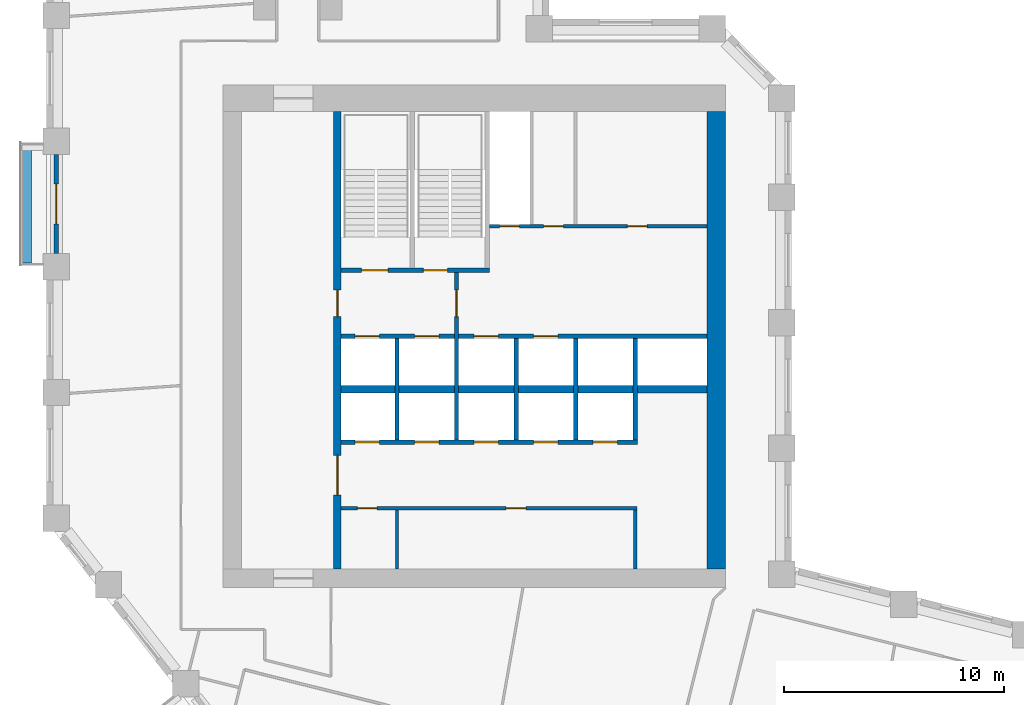
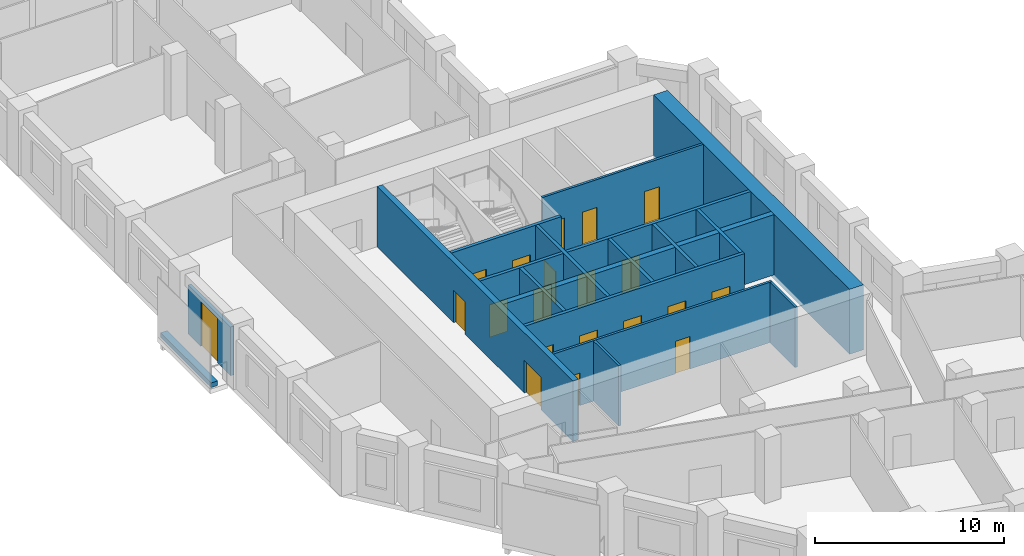
# One storey, part 5 of 10: 20 doors, 17 walls, 20 openings.
"""IFC4 building model written with IfcOpenShell, lengths in metres."""

from ifc_helpers import new_model, si_unit, direction, frame, frame_2d, origin, place, context, subcontext, project, spatial, rectangle, extrude, material, layer, layer_set, type_object, element, fill, save


model = new_model("IFC4")

# Units and contexts
model_context = context("Model", 3, precision=1e-05, world=origin(), true_north=direction((0.0, 1.0)))
body_context = subcontext(model_context, "Body", "Model", "MODEL_VIEW")
ifc_project = project(units=[si_unit("LENGTHUNIT", "METRE"), si_unit("AREAUNIT", "SQUARE_METRE"), si_unit("VOLUMEUNIT", "CUBIC_METRE"), si_unit("PLANEANGLEUNIT", "RADIAN"), si_unit("MASSUNIT", "GRAM", prefix="KILO")], contexts=[model_context])

# Site, building, storey
site_placement = place(None, origin())
site = spatial("IfcSite", under=ifc_project, at=site_placement, CompositionType="ELEMENT")
building_placement = place(site_placement, origin())
building = spatial("IfcBuilding", under=site, at=building_placement, Name="Meshkara Civic Tower", CompositionType="ELEMENT")
storey_placement = place(building_placement, frame((0.0, 0.0, 199.199951171875)))
storey = spatial("IfcBuildingStorey", under=building, at=storey_placement, Name="L45", CompositionType="ELEMENT", Elevation=199.199951171875)

# Wall, openings, doors
ifc_material_1 = material(Name="Blockwork", Category="masonry")
ifc_layer_1 = layer(ifc_material_1, 0.14990234375)
ifc_layer_set_1 = layer_set([ifc_layer_1], Name="Core partition 150")
wall_type_1 = type_object("IfcWallType", Name="Core partition 150", PredefinedType="PARTITIONING", material=ifc_layer_set_1)
wall_1_placement = place(storey_placement, frame((13.3701171875, 17.699951171875, 0.0), z_axis=(0.0, 0.0, 1.0), x_axis=(1.0, 0.0, 0.0)))
wall_1 = element("IfcWall", 1, at=wall_1_placement, inside=storey, type_object=wall_type_1, Name="L45-C005", PredefinedType="PARTITIONING", context=body_context, shape_type="SweptSolid", body=[
    extrude(rectangle(XDim=13.40478515625, YDim=0.14990234375, at=frame_2d((6.702392578125, 0.0))), origin(), (0.0, 0.0, 1.0), 3.900146484375),
])
opening_1_placement = place(wall_1_placement, frame((0.72998046875, 0.0, 0.0)))
opening_1 = element("IfcOpeningElement", 2, at=opening_1_placement, cuts=wall_1, Name="Opening L45-K010", PredefinedType="OPENING", context=body_context, shape_type="SweptSolid", body=[
    extrude(rectangle(XDim=0.89990234375, YDim=2.10009765625, at=frame_2d((0.449951171875, 1.050048828125))), frame((0.0, 0.0849609375, 0.0), z_axis=(0.0, -1.0, 0.0), x_axis=(1.0, 0.0, 0.0)), (0.0, 0.0, 1.0), 0.169921875),
])
opening_2_placement = place(wall_1_placement, frame((7.47998046875, 0.0, 0.0)))
opening_2 = element("IfcOpeningElement", 3, at=opening_2_placement, cuts=wall_1, Name="Opening L45-K011", PredefinedType="OPENING", context=body_context, shape_type="SweptSolid", body=[
    extrude(rectangle(XDim=0.89990234375, YDim=2.10009765625, at=frame_2d((0.449951171875, 1.050048828125))), frame((0.0, 0.0849609375, 0.0), z_axis=(0.0, -1.0, 0.0), x_axis=(1.0, 0.0, 0.0)), (0.0, 0.0, 1.0), 0.169921875),
])
ifc_material_2 = material(Name="Timber door leaf in steel frame", Category="steel")
door_type_1 = type_object("IfcDoorType", Name="Core room door 900", OperationType="SINGLE_SWING_LEFT", PredefinedType="DOOR", material=ifc_material_2)
door_1_placement = place(opening_1_placement, origin())
door_1 = element("IfcDoor", 4, at=door_1_placement, inside=storey, type_object=door_type_1, Name="L45-K010", OperationType="SINGLE_SWING_LEFT", OverallHeight=2.10009765625, OverallWidth=0.89990234375, PredefinedType="DOOR", context=body_context, shape_type="SweptSolid", body=[
    extrude(rectangle(XDim=0.89990234375, YDim=2.10009765625, at=frame_2d((0.449951171875, 1.050048828125))), frame((0.0, 0.02490234375, 0.0), z_axis=(0.0, -1.0, 0.0), x_axis=(1.0, 0.0, 0.0)), (0.0, 0.0, 1.0), 0.050048828125),
])
fill(opening_1, door_1)
door_2_placement = place(opening_2_placement, origin())
door_2 = element("IfcDoor", 5, at=door_2_placement, inside=storey, type_object=door_type_1, Name="L45-K011", OperationType="SINGLE_SWING_RIGHT", OverallHeight=2.10009765625, OverallWidth=0.89990234375, PredefinedType="DOOR", context=body_context, shape_type="SweptSolid", body=[
    extrude(rectangle(XDim=0.89990234375, YDim=2.10009765625, at=frame_2d((0.449951171875, 1.050048828125))), frame((0.0, 0.02490234375, 0.0), z_axis=(0.0, -1.0, 0.0), x_axis=(1.0, 0.0, 0.0)), (0.0, 0.0, 1.0), 0.050048828125),
])
fill(opening_2, door_2)

wall_2_placement = place(storey_placement, frame((20.10009765625, 30.5, 0.0), z_axis=(0.0, 0.0, 1.0), x_axis=(1.0, 0.0, 0.0)))
wall_2 = element("IfcWall", 6, at=wall_2_placement, inside=storey, type_object=wall_type_1, Name="L45-C010", PredefinedType="PARTITIONING", context=body_context, shape_type="SweptSolid", body=[
    extrude(rectangle(XDim=9.849853515625, YDim=0.14990234375, at=frame_2d((4.9248046875, 0.0))), origin(), (0.0, 0.0, 1.0), 3.900146484375),
])
opening_3_placement = place(wall_2_placement, frame((0.449951171875, 0.0, 0.0)))
opening_3 = element("IfcOpeningElement", 7, at=opening_3_placement, cuts=wall_2, Name="Opening L45-K012", PredefinedType="OPENING", context=body_context, shape_type="SweptSolid", body=[
    extrude(rectangle(XDim=0.89990234375, YDim=2.10009765625, at=frame_2d((0.449951171875, 1.050048828125))), frame((0.0, 0.0849609375, 0.0), z_axis=(0.0, -1.0, 0.0), x_axis=(1.0, 0.0, 0.0)), (0.0, 0.0, 1.0), 0.169921875),
])
opening_4_placement = place(wall_2_placement, frame((2.449951171875, 0.0, 0.0)))
opening_4 = element("IfcOpeningElement", 8, at=opening_4_placement, cuts=wall_2, Name="Opening L45-K013", PredefinedType="OPENING", context=body_context, shape_type="SweptSolid", body=[
    extrude(rectangle(XDim=0.89990234375, YDim=2.10009765625, at=frame_2d((0.449951171875, 1.050048828125))), frame((0.0, 0.0849609375, 0.0), z_axis=(0.0, -1.0, 0.0), x_axis=(1.0, 0.0, 0.0)), (0.0, 0.0, 1.0), 0.169921875),
])
opening_5_placement = place(wall_2_placement, frame((6.25, 0.0, 0.0)))
opening_5 = element("IfcOpeningElement", 9, at=opening_5_placement, cuts=wall_2, Name="Opening L45-K014", PredefinedType="OPENING", context=body_context, shape_type="SweptSolid", body=[
    extrude(rectangle(XDim=0.89990234375, YDim=2.10009765625, at=frame_2d((0.449951171875, 1.050048828125))), frame((0.0, 0.0849609375, 0.0), z_axis=(0.0, -1.0, 0.0), x_axis=(1.0, 0.0, 0.0)), (0.0, 0.0, 1.0), 0.169921875),
])
door_3_placement = place(opening_5_placement, origin())
door_3 = element("IfcDoor", 10, at=door_3_placement, inside=storey, type_object=door_type_1, Name="L45-K014", OperationType="SINGLE_SWING_RIGHT", OverallHeight=2.10009765625, OverallWidth=0.89990234375, PredefinedType="DOOR", context=body_context, shape_type="SweptSolid", body=[
    extrude(rectangle(XDim=0.89990234375, YDim=2.10009765625, at=frame_2d((0.449951171875, 1.050048828125))), frame((0.0, 0.02490234375, 0.0), z_axis=(0.0, -1.0, 0.0), x_axis=(1.0, 0.0, 0.0)), (0.0, 0.0, 1.0), 0.050048828125),
])
fill(opening_5, door_3)
ifc_material_3 = material(Name="Fire-rated door leaf in steel frame", Category="steel")
door_type_2 = type_object("IfcDoorType", Name="Riser door 900", OperationType="SINGLE_SWING_LEFT", PredefinedType="DOOR", material=ifc_material_3)
door_4_placement = place(opening_3_placement, origin())
door_4 = element("IfcDoor", 11, at=door_4_placement, inside=storey, type_object=door_type_2, Name="L45-K012", OperationType="SINGLE_SWING_RIGHT", OverallHeight=2.10009765625, OverallWidth=0.89990234375, PredefinedType="DOOR", context=body_context, shape_type="SweptSolid", body=[
    extrude(rectangle(XDim=0.89990234375, YDim=2.10009765625, at=frame_2d((0.449951171875, 1.050048828125))), frame((0.0, 0.02490234375, 0.0), z_axis=(0.0, -1.0, 0.0), x_axis=(1.0, 0.0, 0.0)), (0.0, 0.0, 1.0), 0.050048828125),
])
fill(opening_3, door_4)
ifc_material_4 = material(Name="Timber door leaf in steel frame", Category="steel")
door_type_3 = type_object("IfcDoorType", Name="WC door 900", OperationType="SINGLE_SWING_LEFT", PredefinedType="DOOR", material=ifc_material_4)
door_5_placement = place(opening_4_placement, origin())
door_5 = element("IfcDoor", 12, at=door_5_placement, inside=storey, type_object=door_type_3, Name="L45-K013", OperationType="SINGLE_SWING_LEFT", OverallHeight=2.10009765625, OverallWidth=0.89990234375, PredefinedType="DOOR", context=body_context, shape_type="SweptSolid", body=[
    extrude(rectangle(XDim=0.89990234375, YDim=2.10009765625, at=frame_2d((0.449951171875, 1.050048828125))), frame((0.0, 0.02490234375, 0.0), z_axis=(0.0, -1.0, 0.0), x_axis=(1.0, 0.0, 0.0)), (0.0, 0.0, 1.0), 0.050048828125),
])
fill(opening_4, door_5)

# Walls
for number, where, z_axis, x_axis, name in (
    (13, (15.89990234375, 14.949951171875, 0.0), (0.0, 0.0, 1.0), (0.0, 1.0, 0.0), "L45-C012"),
    (14, (26.699951171875, 14.949951171875, 0.0), (0.0, 0.0, 1.0), (0.0, 1.0, 0.0), "L45-C021"),
):
    element("IfcWall", number, at=place(storey_placement, frame(where, z_axis=z_axis, x_axis=x_axis)), inside=storey, type_object=wall_type_1, Name=name, PredefinedType="PARTITIONING", context=body_context, shape_type="SweptSolid", body=[
        extrude(rectangle(XDim=2.675048828125, YDim=0.14990234375, at=frame_2d((1.33740234375, 0.0))), origin(), (0.0, 0.0, 1.0), 3.900146484375),
    ])
ifc_material_5 = material(Name="Concrete C70", Category="concrete")
ifc_layer_2 = layer(ifc_material_5, 0.85009765625)
ifc_layer_set_2 = layer_set([ifc_layer_2], Name="Core ring wall 850 C70")
wall_type_2 = type_object("IfcWallType", Name="Core ring wall 850 C70", PredefinedType="SHEAR", material=ifc_layer_set_2)
wall_3_placement = place(storey_placement, frame((30.375, 14.949951171875, -0.300048828125), z_axis=(0.0, 0.0, 1.0), x_axis=(0.0, 1.0, 0.0)))
element("IfcWall", 15, at=wall_3_placement, inside=storey, type_object=wall_type_2, Name="L45-C004", PredefinedType="SHEAR", context=body_context, shape_type="SweptSolid", body=[
    extrude(rectangle(XDim=20.75, YDim=0.85009765625, at=frame_2d((10.375, 0.0))), origin(), (0.0, 0.0, 1.0), 4.2001953125),
])
ifc_material_6 = material(Name="Concrete C70", Category="concrete")
ifc_layer_3 = layer(ifc_material_6, 0.340087890625)
ifc_layer_set_3 = layer_set([ifc_layer_3], Name="Core shear wall 340 C70")
wall_type_3 = type_object("IfcWallType", Name="Core shear wall 340 C70", PredefinedType="SHEAR", material=ifc_layer_set_3)
wall_4_placement = place(storey_placement, frame((13.3701171875, 23.10009765625, 0.0), z_axis=(0.0, 0.0, 1.0), x_axis=(1.0, 0.0, 0.0)))
element("IfcWall", 16, at=wall_4_placement, inside=storey, type_object=wall_type_3, Name="L45-C007", PredefinedType="SHEAR", context=body_context, shape_type="SweptSolid", body=[
    extrude(rectangle(XDim=16.579833984375, YDim=0.340087890625, at=frame_2d((8.2900390625, 0.0))), origin(), (0.0, 0.0, 1.0), 3.900146484375),
])

# Wall, openings, doors
wall_5_placement = place(storey_placement, frame((13.199951171875, 14.949951171875, 0.0), z_axis=(0.0, 0.0, 1.0), x_axis=(0.0, 1.0, 0.0)))
wall_5 = element("IfcWall", 17, at=wall_5_placement, inside=storey, type_object=wall_type_3, Name="L45-C011", PredefinedType="SHEAR", context=body_context, shape_type="SweptSolid", body=[
    extrude(rectangle(XDim=20.75, YDim=0.340087890625, at=frame_2d((10.375, 0.0))), origin(), (0.0, 0.0, 1.0), 3.900146484375),
])
opening_6_placement = place(wall_5_placement, frame((3.35009765625, 0.0, 0.0)))
opening_6 = element("IfcOpeningElement", 18, at=opening_6_placement, cuts=wall_5, Name="Opening L45-K017", PredefinedType="OPENING", context=body_context, shape_type="SweptSolid", body=[
    extrude(rectangle(XDim=1.800048828125, YDim=2.10009765625, at=frame_2d((0.89990234375, 1.050048828125))), frame((0.0, 0.179931640625, 0.0), z_axis=(0.0, -1.0, 0.0), x_axis=(1.0, 0.0, 0.0)), (0.0, 0.0, 1.0), 0.360107421875),
])
opening_7_placement = place(wall_5_placement, frame((11.449951171875, 0.0, 0.0)))
opening_7 = element("IfcOpeningElement", 19, at=opening_7_placement, cuts=wall_5, Name="Opening L45-K018", PredefinedType="OPENING", context=body_context, shape_type="SweptSolid", body=[
    extrude(rectangle(XDim=1.199951171875, YDim=2.10009765625, at=frame_2d((0.60009765625, 1.050048828125))), frame((0.0, 0.179931640625, 0.0), z_axis=(0.0, -1.0, 0.0), x_axis=(1.0, 0.0, 0.0)), (0.0, 0.0, 1.0), 0.360107421875),
])
ifc_material_7 = material(Name="Fire-rated door leaf in steel frame", Category="steel")
door_type_4 = type_object("IfcDoorType", Name="Core double door 1800 EI 60", OperationType="DOUBLE_DOOR_SINGLE_SWING", PredefinedType="DOOR", material=ifc_material_7)
door_6_placement = place(opening_6_placement, origin())
door_6 = element("IfcDoor", 20, at=door_6_placement, inside=storey, type_object=door_type_4, Name="L45-K017", OperationType="DOUBLE_DOOR_SINGLE_SWING", OverallHeight=2.10009765625, OverallWidth=1.800048828125, PredefinedType="DOOR", context=body_context, shape_type="SweptSolid", body=[
    extrude(rectangle(XDim=1.800048828125, YDim=2.10009765625, at=frame_2d((0.89990234375, 1.050048828125))), frame((0.0, 0.02490234375, 0.0), z_axis=(0.0, -1.0, 0.0), x_axis=(1.0, 0.0, 0.0)), (0.0, 0.0, 1.0), 0.050048828125),
])
fill(opening_6, door_6)
ifc_material_8 = material(Name="Fire-rated door leaf in steel frame", Category="steel")
door_type_5 = type_object("IfcDoorType", Name="Fire-fighting lobby door 1200 EI 120", OperationType="SINGLE_SWING_LEFT", PredefinedType="DOOR", material=ifc_material_8)
door_7_placement = place(opening_7_placement, origin())
door_7 = element("IfcDoor", 21, at=door_7_placement, inside=storey, type_object=door_type_5, Name="L45-K018", OperationType="SINGLE_SWING_LEFT", OverallHeight=2.10009765625, OverallWidth=1.199951171875, PredefinedType="DOOR", context=body_context, shape_type="SweptSolid", body=[
    extrude(rectangle(XDim=1.199951171875, YDim=2.10009765625, at=frame_2d((0.60009765625, 1.050048828125))), frame((0.0, 0.02490234375, 0.0), z_axis=(0.0, -1.0, 0.0), x_axis=(1.0, 0.0, 0.0)), (0.0, 0.0, 1.0), 0.050048828125),
])
fill(opening_7, door_7)

# Wall, opening, door
ifc_material_9 = material(Name="Insulated infill panel with bronze anodised aluminium cladding", Category="aluminium")
ifc_layer_4 = layer(ifc_material_9, 0.199951171875)
ifc_layer_set_4 = layer_set([ifc_layer_4], Name="LOGGIA BACK WALL 200")
wall_type_4 = type_object("IfcWallType", Name="LOGGIA BACK WALL 200", PredefinedType="SOLIDWALL", material=ifc_layer_set_4)
wall_6_placement = place(storey_placement, frame((0.449951171875, 33.75390625, 0.0), z_axis=(0.0, 0.0, 1.0), x_axis=(0.0, -1.0, 0.0)))
wall_6 = element("IfcWall", 22, at=wall_6_placement, inside=storey, type_object=wall_type_4, Name="Loggia wall", PredefinedType="SOLIDWALL", context=body_context, shape_type="SweptSolid", body=[
    extrude(rectangle(XDim=4.497802734375, YDim=0.199951171875, at=frame_2d((2.2490234375, 0.0))), origin(), (0.0, 0.0, 1.0), 3.150146484375),
])
opening_8_placement = place(wall_6_placement, frame((1.34912109375, 0.0, 0.0)))
opening_8 = element("IfcOpeningElement", 23, at=opening_8_placement, cuts=wall_6, Name="Opening L45-L002", PredefinedType="OPENING", context=body_context, shape_type="SweptSolid", body=[
    extrude(rectangle(XDim=1.800048828125, YDim=2.89990234375, at=frame_2d((0.89990234375, 1.449951171875))), frame((0.0, 0.10986328125, 0.0), z_axis=(0.0, -1.0, 0.0), x_axis=(1.0, 0.0, 0.0)), (0.0, 0.0, 1.0), 0.219970703125),
])
ifc_material_10 = material(Name="Tinted double glazing", Category="glass")
door_type_6 = type_object("IfcDoorType", Name="LOGGIA DOOR 1800x2900", OperationType="DOUBLE_DOOR_SINGLE_SWING", PredefinedType="DOOR", material=ifc_material_10)
door_8_placement = place(opening_8_placement, origin())
door_8 = element("IfcDoor", 24, at=door_8_placement, inside=storey, type_object=door_type_6, Name="L45-L002", OperationType="DOUBLE_DOOR_SINGLE_SWING", OverallHeight=2.89990234375, OverallWidth=1.800048828125, PredefinedType="DOOR", context=body_context, shape_type="SweptSolid", body=[
    extrude(rectangle(XDim=1.800048828125, YDim=2.89990234375, at=frame_2d((0.89990234375, 1.449951171875))), frame((0.0, 0.02490234375, 0.0), z_axis=(0.0, -1.0, 0.0), x_axis=(1.0, 0.0, 0.0)), (0.0, 0.0, 1.0), 0.050048828125),
])
fill(opening_8, door_8)

# Wall
ifc_material_11 = material(Name="Concrete C40", Category="concrete")
ifc_layer_5 = layer(ifc_material_11, 0.39990234375)
ifc_layer_set_5 = layer_set([ifc_layer_5], Name="PLANTER TRAY")
wall_type_5 = type_object("IfcWallType", Name="PLANTER TRAY", PredefinedType="SOLIDWALL", material=ifc_layer_set_5)
wall_7_placement = place(storey_placement, frame((-0.8798828125, 34.18505859375, 0.0), z_axis=(0.0, 0.0, 1.0), x_axis=(0.0, -1.0, 0.0)))
element("IfcWall", 25, at=wall_7_placement, inside=storey, type_object=wall_type_5, Name="Planter", PredefinedType="SOLIDWALL", context=body_context, shape_type="SweptSolid", body=[
    extrude(rectangle(XDim=5.360107421875, YDim=0.39990234375, at=frame_2d((2.68017578125, 0.0))), origin(), (0.0, 0.0, 1.0), 0.300048828125),
])

# Wall, openings, doors
ifc_material_12 = material(Name="Concrete C40/50", Category="concrete")
ifc_layer_6 = layer(ifc_material_12, 0.199951171875)
ifc_layer_set_6 = layer_set([ifc_layer_6], Name="Shaft wall 200 C40/50")
wall_type_6 = type_object("IfcWallType", Name="Shaft wall 200 C40/50", PredefinedType="SOLIDWALL", material=ifc_layer_set_6)
wall_8_placement = place(storey_placement, frame((13.3701171875, 20.699951171875, 0.0), z_axis=(0.0, 0.0, 1.0), x_axis=(1.0, 0.0, 0.0)))
wall_8 = element("IfcWall", 26, at=wall_8_placement, inside=storey, type_object=wall_type_6, Name="L45-C006", PredefinedType="SOLIDWALL", context=body_context, shape_type="SweptSolid", body=[
    extrude(rectangle(XDim=13.429931640625, YDim=0.199951171875, at=frame_2d((6.71484375, 0.0))), origin(), (0.0, 0.0, 1.0), 3.900146484375),
])
opening_9_placement = place(wall_8_placement, frame((0.6298828125, 0.0, 0.0)))
opening_9 = element("IfcOpeningElement", 27, at=opening_9_placement, cuts=wall_8, Name="Opening L45-K001", PredefinedType="OPENING", context=body_context, shape_type="SweptSolid", body=[
    extrude(rectangle(XDim=1.10009765625, YDim=2.10009765625, at=frame_2d((0.550048828125, 1.050048828125))), frame((0.0, 0.10986328125, 0.0), z_axis=(0.0, -1.0, 0.0), x_axis=(1.0, 0.0, 0.0)), (0.0, 0.0, 1.0), 0.219970703125),
])
opening_10_placement = place(wall_8_placement, frame((3.330078125, 0.0, 0.0)))
opening_10 = element("IfcOpeningElement", 28, at=opening_10_placement, cuts=wall_8, Name="Opening L45-K002", PredefinedType="OPENING", context=body_context, shape_type="SweptSolid", body=[
    extrude(rectangle(XDim=1.10009765625, YDim=2.10009765625, at=frame_2d((0.550048828125, 1.050048828125))), frame((0.0, 0.10986328125, 0.0), z_axis=(0.0, -1.0, 0.0), x_axis=(1.0, 0.0, 0.0)), (0.0, 0.0, 1.0), 0.219970703125),
])
opening_11_placement = place(wall_8_placement, frame((6.030029296875, 0.0, 0.0)))
opening_11 = element("IfcOpeningElement", 29, at=opening_11_placement, cuts=wall_8, Name="Opening L45-K003", PredefinedType="OPENING", context=body_context, shape_type="SweptSolid", body=[
    extrude(rectangle(XDim=1.10009765625, YDim=2.10009765625, at=frame_2d((0.550048828125, 1.050048828125))), frame((0.0, 0.10986328125, 0.0), z_axis=(0.0, -1.0, 0.0), x_axis=(1.0, 0.0, 0.0)), (0.0, 0.0, 1.0), 0.219970703125),
])
opening_12_placement = place(wall_8_placement, frame((8.72998046875, 0.0, 0.0)))
opening_12 = element("IfcOpeningElement", 30, at=opening_12_placement, cuts=wall_8, Name="Opening L45-K004", PredefinedType="OPENING", context=body_context, shape_type="SweptSolid", body=[
    extrude(rectangle(XDim=1.10009765625, YDim=2.10009765625, at=frame_2d((0.550048828125, 1.050048828125))), frame((0.0, 0.10986328125, 0.0), z_axis=(0.0, -1.0, 0.0), x_axis=(1.0, 0.0, 0.0)), (0.0, 0.0, 1.0), 0.219970703125),
])
opening_13_placement = place(wall_8_placement, frame((11.429931640625, 0.0, 0.0)))
opening_13 = element("IfcOpeningElement", 31, at=opening_13_placement, cuts=wall_8, Name="Opening L45-K005", PredefinedType="OPENING", context=body_context, shape_type="SweptSolid", body=[
    extrude(rectangle(XDim=1.10009765625, YDim=2.10009765625, at=frame_2d((0.550048828125, 1.050048828125))), frame((0.0, 0.10986328125, 0.0), z_axis=(0.0, -1.0, 0.0), x_axis=(1.0, 0.0, 0.0)), (0.0, 0.0, 1.0), 0.219970703125),
])
ifc_material_13 = material(Name="Stainless steel landing door", Category="steel")
door_type_7 = type_object("IfcDoorType", Name="Lift landing door 1100", OperationType="SLIDING_TO_LEFT", PredefinedType="DOOR", material=ifc_material_13)
door_9_placement = place(opening_9_placement, origin())
door_9 = element("IfcDoor", 32, at=door_9_placement, inside=storey, type_object=door_type_7, Name="L45-K001", OperationType="SLIDING_TO_LEFT", OverallHeight=2.10009765625, OverallWidth=1.10009765625, PredefinedType="DOOR", context=body_context, shape_type="SweptSolid", body=[
    extrude(rectangle(XDim=1.10009765625, YDim=2.10009765625, at=frame_2d((0.550048828125, 1.050048828125))), frame((0.0, 0.02490234375, 0.0), z_axis=(0.0, -1.0, 0.0), x_axis=(1.0, 0.0, 0.0)), (0.0, 0.0, 1.0), 0.050048828125),
])
fill(opening_9, door_9)
door_10_placement = place(opening_10_placement, origin())
door_10 = element("IfcDoor", 33, at=door_10_placement, inside=storey, type_object=door_type_7, Name="L45-K002", OperationType="SLIDING_TO_LEFT", OverallHeight=2.10009765625, OverallWidth=1.10009765625, PredefinedType="DOOR", context=body_context, shape_type="SweptSolid", body=[
    extrude(rectangle(XDim=1.10009765625, YDim=2.10009765625, at=frame_2d((0.550048828125, 1.050048828125))), frame((0.0, 0.02490234375, 0.0), z_axis=(0.0, -1.0, 0.0), x_axis=(1.0, 0.0, 0.0)), (0.0, 0.0, 1.0), 0.050048828125),
])
fill(opening_10, door_10)
door_11_placement = place(opening_11_placement, origin())
door_11 = element("IfcDoor", 34, at=door_11_placement, inside=storey, type_object=door_type_7, Name="L45-K003", OperationType="SLIDING_TO_LEFT", OverallHeight=2.10009765625, OverallWidth=1.10009765625, PredefinedType="DOOR", context=body_context, shape_type="SweptSolid", body=[
    extrude(rectangle(XDim=1.10009765625, YDim=2.10009765625, at=frame_2d((0.550048828125, 1.050048828125))), frame((0.0, 0.02490234375, 0.0), z_axis=(0.0, -1.0, 0.0), x_axis=(1.0, 0.0, 0.0)), (0.0, 0.0, 1.0), 0.050048828125),
])
fill(opening_11, door_11)
door_12_placement = place(opening_12_placement, origin())
door_12 = element("IfcDoor", 35, at=door_12_placement, inside=storey, type_object=door_type_7, Name="L45-K004", OperationType="SLIDING_TO_LEFT", OverallHeight=2.10009765625, OverallWidth=1.10009765625, PredefinedType="DOOR", context=body_context, shape_type="SweptSolid", body=[
    extrude(rectangle(XDim=1.10009765625, YDim=2.10009765625, at=frame_2d((0.550048828125, 1.050048828125))), frame((0.0, 0.02490234375, 0.0), z_axis=(0.0, -1.0, 0.0), x_axis=(1.0, 0.0, 0.0)), (0.0, 0.0, 1.0), 0.050048828125),
])
fill(opening_12, door_12)
door_13_placement = place(opening_13_placement, origin())
door_13 = element("IfcDoor", 36, at=door_13_placement, inside=storey, type_object=door_type_7, Name="L45-K005", OperationType="SLIDING_TO_LEFT", OverallHeight=2.10009765625, OverallWidth=1.10009765625, PredefinedType="DOOR", context=body_context, shape_type="SweptSolid", body=[
    extrude(rectangle(XDim=1.10009765625, YDim=2.10009765625, at=frame_2d((0.550048828125, 1.050048828125))), frame((0.0, 0.02490234375, 0.0), z_axis=(0.0, -1.0, 0.0), x_axis=(1.0, 0.0, 0.0)), (0.0, 0.0, 1.0), 0.050048828125),
])
fill(opening_13, door_13)

wall_9_placement = place(storey_placement, frame((13.3701171875, 25.5, 0.0), z_axis=(0.0, 0.0, 1.0), x_axis=(1.0, 0.0, 0.0)))
wall_9 = element("IfcWall", 37, at=wall_9_placement, inside=storey, type_object=wall_type_6, Name="L45-C008", PredefinedType="SOLIDWALL", context=body_context, shape_type="SweptSolid", body=[
    extrude(rectangle(XDim=16.579833984375, YDim=0.199951171875, at=frame_2d((8.2900390625, 0.0))), origin(), (0.0, 0.0, 1.0), 3.900146484375),
])
opening_14_placement = place(wall_9_placement, frame((0.6298828125, 0.0, 0.0)))
opening_14 = element("IfcOpeningElement", 38, at=opening_14_placement, cuts=wall_9, Name="Opening L45-K006", PredefinedType="OPENING", context=body_context, shape_type="SweptSolid", body=[
    extrude(rectangle(XDim=1.10009765625, YDim=2.10009765625, at=frame_2d((0.550048828125, 1.050048828125))), frame((0.0, 0.10986328125, 0.0), z_axis=(0.0, -1.0, 0.0), x_axis=(1.0, 0.0, 0.0)), (0.0, 0.0, 1.0), 0.219970703125),
])
opening_15_placement = place(wall_9_placement, frame((3.330078125, 0.0, 0.0)))
opening_15 = element("IfcOpeningElement", 39, at=opening_15_placement, cuts=wall_9, Name="Opening L45-K007", PredefinedType="OPENING", context=body_context, shape_type="SweptSolid", body=[
    extrude(rectangle(XDim=1.10009765625, YDim=2.10009765625, at=frame_2d((0.550048828125, 1.050048828125))), frame((0.0, 0.10986328125, 0.0), z_axis=(0.0, -1.0, 0.0), x_axis=(1.0, 0.0, 0.0)), (0.0, 0.0, 1.0), 0.219970703125),
])
opening_16_placement = place(wall_9_placement, frame((6.030029296875, 0.0, 0.0)))
opening_16 = element("IfcOpeningElement", 40, at=opening_16_placement, cuts=wall_9, Name="Opening L45-K008", PredefinedType="OPENING", context=body_context, shape_type="SweptSolid", body=[
    extrude(rectangle(XDim=1.10009765625, YDim=2.10009765625, at=frame_2d((0.550048828125, 1.050048828125))), frame((0.0, 0.10986328125, 0.0), z_axis=(0.0, -1.0, 0.0), x_axis=(1.0, 0.0, 0.0)), (0.0, 0.0, 1.0), 0.219970703125),
])
opening_17_placement = place(wall_9_placement, frame((8.72998046875, 0.0, 0.0)))
opening_17 = element("IfcOpeningElement", 41, at=opening_17_placement, cuts=wall_9, Name="Opening L45-K009", PredefinedType="OPENING", context=body_context, shape_type="SweptSolid", body=[
    extrude(rectangle(XDim=1.10009765625, YDim=2.10009765625, at=frame_2d((0.550048828125, 1.050048828125))), frame((0.0, 0.10986328125, 0.0), z_axis=(0.0, -1.0, 0.0), x_axis=(1.0, 0.0, 0.0)), (0.0, 0.0, 1.0), 0.219970703125),
])
door_14_placement = place(opening_14_placement, origin())
door_14 = element("IfcDoor", 42, at=door_14_placement, inside=storey, type_object=door_type_7, Name="L45-K006", OperationType="SLIDING_TO_LEFT", OverallHeight=2.10009765625, OverallWidth=1.10009765625, PredefinedType="DOOR", context=body_context, shape_type="SweptSolid", body=[
    extrude(rectangle(XDim=1.10009765625, YDim=2.10009765625, at=frame_2d((0.550048828125, 1.050048828125))), frame((0.0, 0.02490234375, 0.0), z_axis=(0.0, -1.0, 0.0), x_axis=(1.0, 0.0, 0.0)), (0.0, 0.0, 1.0), 0.050048828125),
])
fill(opening_14, door_14)
door_15_placement = place(opening_15_placement, origin())
door_15 = element("IfcDoor", 43, at=door_15_placement, inside=storey, type_object=door_type_7, Name="L45-K007", OperationType="SLIDING_TO_LEFT", OverallHeight=2.10009765625, OverallWidth=1.10009765625, PredefinedType="DOOR", context=body_context, shape_type="SweptSolid", body=[
    extrude(rectangle(XDim=1.10009765625, YDim=2.10009765625, at=frame_2d((0.550048828125, 1.050048828125))), frame((0.0, 0.02490234375, 0.0), z_axis=(0.0, -1.0, 0.0), x_axis=(1.0, 0.0, 0.0)), (0.0, 0.0, 1.0), 0.050048828125),
])
fill(opening_15, door_15)
door_16_placement = place(opening_16_placement, origin())
door_16 = element("IfcDoor", 44, at=door_16_placement, inside=storey, type_object=door_type_7, Name="L45-K008", OperationType="SLIDING_TO_LEFT", OverallHeight=2.10009765625, OverallWidth=1.10009765625, PredefinedType="DOOR", context=body_context, shape_type="SweptSolid", body=[
    extrude(rectangle(XDim=1.10009765625, YDim=2.10009765625, at=frame_2d((0.550048828125, 1.050048828125))), frame((0.0, 0.02490234375, 0.0), z_axis=(0.0, -1.0, 0.0), x_axis=(1.0, 0.0, 0.0)), (0.0, 0.0, 1.0), 0.050048828125),
])
fill(opening_16, door_16)
door_17_placement = place(opening_17_placement, origin())
door_17 = element("IfcDoor", 45, at=door_17_placement, inside=storey, type_object=door_type_7, Name="L45-K009", OperationType="SLIDING_TO_LEFT", OverallHeight=2.10009765625, OverallWidth=1.10009765625, PredefinedType="DOOR", context=body_context, shape_type="SweptSolid", body=[
    extrude(rectangle(XDim=1.10009765625, YDim=2.10009765625, at=frame_2d((0.550048828125, 1.050048828125))), frame((0.0, 0.02490234375, 0.0), z_axis=(0.0, -1.0, 0.0), x_axis=(1.0, 0.0, 0.0)), (0.0, 0.0, 1.0), 0.050048828125),
])
fill(opening_17, door_17)

# Wall
wall_10_placement = place(storey_placement, frame((15.89990234375, 20.800048828125, 0.0), z_axis=(0.0, 0.0, 1.0), x_axis=(0.0, 1.0, 0.0)))
element("IfcWall", 46, at=wall_10_placement, inside=storey, type_object=wall_type_6, Name="L45-C013", PredefinedType="SOLIDWALL", context=body_context, shape_type="SweptSolid", body=[
    extrude(rectangle(XDim=4.599853515625, YDim=0.199951171875, at=frame_2d((2.2998046875, 0.0))), origin(), (0.0, 0.0, 1.0), 3.900146484375),
])

# Wall, opening, door
wall_11_placement = place(storey_placement, frame((18.60009765625, 20.800048828125, 0.0), z_axis=(0.0, 0.0, 1.0), x_axis=(0.0, 1.0, 0.0)))
wall_11 = element("IfcWall", 47, at=wall_11_placement, inside=storey, type_object=wall_type_6, Name="L45-C015", PredefinedType="SOLIDWALL", context=body_context, shape_type="SweptSolid", body=[
    extrude(rectangle(XDim=7.599853515625, YDim=0.199951171875, at=frame_2d((3.7998046875, 0.0))), origin(), (0.0, 0.0, 1.0), 3.900146484375),
])
opening_18_placement = place(wall_11_placement, frame((5.60009765625, 0.0, 0.0)))
opening_18 = element("IfcOpeningElement", 48, at=opening_18_placement, cuts=wall_11, Name="Opening L45-K019", PredefinedType="OPENING", context=body_context, shape_type="SweptSolid", body=[
    extrude(rectangle(XDim=1.199951171875, YDim=2.10009765625, at=frame_2d((0.60009765625, 1.050048828125))), frame((0.0, 0.10986328125, 0.0), z_axis=(0.0, -1.0, 0.0), x_axis=(1.0, 0.0, 0.0)), (0.0, 0.0, 1.0), 0.219970703125),
])
door_18_placement = place(opening_18_placement, origin())
door_18 = element("IfcDoor", 49, at=door_18_placement, inside=storey, type_object=door_type_5, Name="L45-K019", OperationType="SINGLE_SWING_RIGHT", OverallHeight=2.10009765625, OverallWidth=1.199951171875, PredefinedType="DOOR", context=body_context, shape_type="SweptSolid", body=[
    extrude(rectangle(XDim=1.199951171875, YDim=2.10009765625, at=frame_2d((0.60009765625, 1.050048828125))), frame((0.0, 0.02490234375, 0.0), z_axis=(0.0, -1.0, 0.0), x_axis=(1.0, 0.0, 0.0)), (0.0, 0.0, 1.0), 0.050048828125),
])
fill(opening_18, door_18)

# Walls
for number, where, z_axis, x_axis, name in (
    (50, (21.300048828125, 20.800048828125, 0.0), (0.0, 0.0, 1.0), (0.0, 1.0, 0.0), "L45-C017"),
    (51, (24.0, 20.800048828125, 0.0), (0.0, 0.0, 1.0), (0.0, 1.0, 0.0), "L45-C019"),
    (52, (26.699951171875, 20.800048828125, 0.0), (0.0, 0.0, 1.0), (0.0, 1.0, 0.0), "L45-C022"),
):
    element("IfcWall", number, at=place(storey_placement, frame(where, z_axis=z_axis, x_axis=x_axis)), inside=storey, type_object=wall_type_6, Name=name, PredefinedType="SOLIDWALL", context=body_context, shape_type="SweptSolid", body=[
        extrude(rectangle(XDim=4.599853515625, YDim=0.199951171875, at=frame_2d((2.2998046875, 0.0))), origin(), (0.0, 0.0, 1.0), 3.900146484375),
    ])

# Wall, openings, doors
ifc_material_14 = material(Name="Concrete C40/50", Category="concrete")
ifc_layer_7 = layer(ifc_material_14, 0.199951171875)
ifc_layer_set_7 = layer_set([ifc_layer_7], Name="Stair enclosure wall 200 C40/50")
wall_type_7 = type_object("IfcWallType", Name="Stair enclosure wall 200 C40/50", PredefinedType="SOLIDWALL", material=ifc_layer_set_7)
wall_12_placement = place(storey_placement, frame((13.3701171875, 28.5, 0.0), z_axis=(0.0, 0.0, 1.0), x_axis=(1.0, 0.0, 0.0)))
wall_12 = element("IfcWall", 53, at=wall_12_placement, inside=storey, type_object=wall_type_7, Name="L45-C009", PredefinedType="SOLIDWALL", context=body_context, shape_type="SweptSolid", body=[
    extrude(rectangle(XDim=6.72998046875, YDim=0.199951171875, at=frame_2d((3.364990234375, 0.0))), origin(), (0.0, 0.0, 1.0), 3.900146484375),
])
opening_19_placement = place(wall_12_placement, frame((0.929931640625, 0.0, 0.0)))
opening_19 = element("IfcOpeningElement", 54, at=opening_19_placement, cuts=wall_12, Name="Opening L45-K015", PredefinedType="OPENING", context=body_context, shape_type="SweptSolid", body=[
    extrude(rectangle(XDim=1.199951171875, YDim=2.10009765625, at=frame_2d((0.60009765625, 1.050048828125))), frame((0.0, 0.10986328125, 0.0), z_axis=(0.0, -1.0, 0.0), x_axis=(1.0, 0.0, 0.0)), (0.0, 0.0, 1.0), 0.219970703125),
])
opening_20_placement = place(wall_12_placement, frame((3.72998046875, 0.0, 0.0)))
opening_20 = element("IfcOpeningElement", 55, at=opening_20_placement, cuts=wall_12, Name="Opening L45-K016", PredefinedType="OPENING", context=body_context, shape_type="SweptSolid", body=[
    extrude(rectangle(XDim=1.10009765625, YDim=2.10009765625, at=frame_2d((0.550048828125, 1.050048828125))), frame((0.0, 0.10986328125, 0.0), z_axis=(0.0, -1.0, 0.0), x_axis=(1.0, 0.0, 0.0)), (0.0, 0.0, 1.0), 0.219970703125),
])
ifc_material_15 = material(Name="Fire-rated door leaf in steel frame", Category="steel")
door_type_8 = type_object("IfcDoorType", Name="Stair door 1100 EI 120", OperationType="SINGLE_SWING_LEFT", PredefinedType="DOOR", material=ifc_material_15)
door_19_placement = place(opening_20_placement, origin())
door_19 = element("IfcDoor", 56, at=door_19_placement, inside=storey, type_object=door_type_8, Name="L45-K016", OperationType="SINGLE_SWING_LEFT", OverallHeight=2.10009765625, OverallWidth=1.10009765625, PredefinedType="DOOR", context=body_context, shape_type="SweptSolid", body=[
    extrude(rectangle(XDim=1.10009765625, YDim=2.10009765625, at=frame_2d((0.550048828125, 1.050048828125))), frame((0.0, 0.02490234375, 0.0), z_axis=(0.0, -1.0, 0.0), x_axis=(1.0, 0.0, 0.0)), (0.0, 0.0, 1.0), 0.050048828125),
])
fill(opening_20, door_19)
ifc_material_16 = material(Name="Fire-rated door leaf in steel frame", Category="steel")
door_type_9 = type_object("IfcDoorType", Name="Stair door 1200 EI 120", OperationType="SINGLE_SWING_LEFT", PredefinedType="DOOR", material=ifc_material_16)
door_20_placement = place(opening_19_placement, origin())
door_20 = element("IfcDoor", 57, at=door_20_placement, inside=storey, type_object=door_type_9, Name="L45-K015", OperationType="SINGLE_SWING_RIGHT", OverallHeight=2.10009765625, OverallWidth=1.199951171875, PredefinedType="DOOR", context=body_context, shape_type="SweptSolid", body=[
    extrude(rectangle(XDim=1.199951171875, YDim=2.10009765625, at=frame_2d((0.60009765625, 1.050048828125))), frame((0.0, 0.02490234375, 0.0), z_axis=(0.0, -1.0, 0.0), x_axis=(1.0, 0.0, 0.0)), (0.0, 0.0, 1.0), 0.050048828125),
])
fill(opening_19, door_20)

save(model, "model.ifc")
